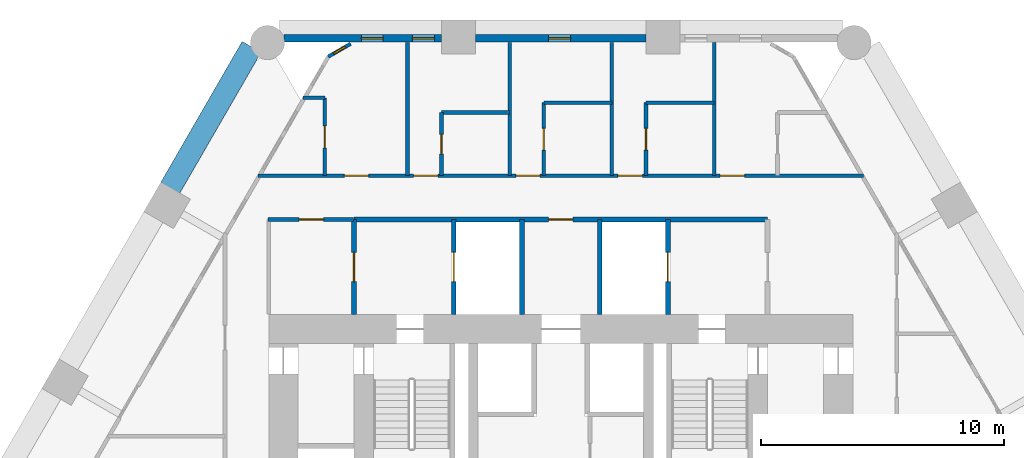
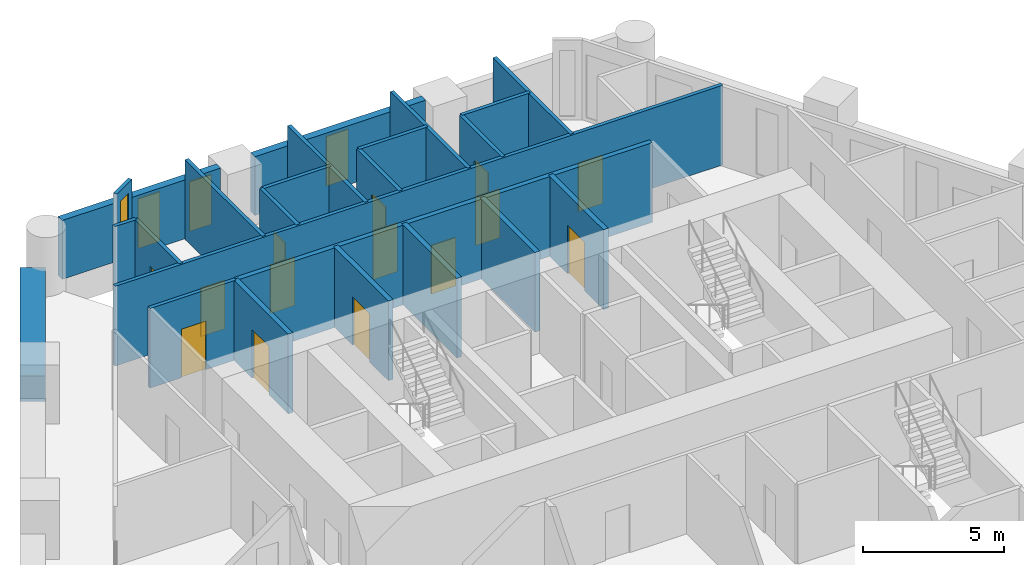
# One storey, part 6 of 8: 24 walls, 14 doors, 4 windows, 18 openings.
"""IFC4 building model written with IfcOpenShell, lengths in metres."""

from ifc_helpers import new_model, si_unit, direction, frame, frame_2d, origin, place, context, subcontext, project, spatial, rectangle, extrude, material, layer, layer_set, type_object, element, fill, save


model = new_model("IFC4")

# Units and contexts
model_context = context("Model", 3, precision=1e-05, world=origin(), true_north=direction((0.0, 1.0)))
body_context = subcontext(model_context, "Body", "Model", "MODEL_VIEW")
ifc_project = project(units=[si_unit("LENGTHUNIT", "METRE"), si_unit("AREAUNIT", "SQUARE_METRE"), si_unit("VOLUMEUNIT", "CUBIC_METRE"), si_unit("PLANEANGLEUNIT", "RADIAN"), si_unit("MASSUNIT", "GRAM", prefix="KILO")], contexts=[model_context])

# Site, building, storey
site_placement = place(None, origin())
site = spatial("IfcSite", under=ifc_project, at=site_placement, CompositionType="ELEMENT")
building_placement = place(site_placement, origin())
building = spatial("IfcBuilding", under=site, at=building_placement, Name="Ostrander Bayou Hotel Tower", CompositionType="ELEMENT")
storey_placement = place(building_placement, frame((0.0, 0.0, 31.75)))
storey = spatial("IfcBuildingStorey", under=building, at=storey_placement, Name="L07", CompositionType="ELEMENT", Elevation=31.75)

# Wall, opening, window
ifc_material_1 = material(Name="Aluminium framed insulated wall", Category="aluminium")
ifc_layer_1 = layer(ifc_material_1, 0.14990234375)
ifc_layer_set_1 = layer_set([ifc_layer_1], Name="GW1 glass-line wall 150 mm")
wall_type_1 = type_object("IfcWallType", Name="GW1 glass-line wall 150 mm", PredefinedType="SOLIDWALL", material=ifc_layer_set_1)
wall_1_placement = place(storey_placement, frame((-8.63720703125, 20.824951171875, 0.0), z_axis=(0.0, 0.0, 1.0), x_axis=(-0.866048165231, -0.499960573946, 0.0)))
wall_1 = element("IfcWall", 1, at=wall_1_placement, inside=storey, type_object=wall_type_1, Name="GW1 L07 corner 1", PredefinedType="SOLIDWALL", context=body_context, shape_type="SweptSolid", body=[
    extrude(rectangle(XDim=1.06494140625, YDim=0.14990234375, at=frame_2d((0.532470703125, 0.0))), origin(), (0.0, 0.0, 1.0), 3.449951171875),
])
opening_1_placement = place(wall_1_placement, frame((0.257568359375, 0.0, 0.14990234375)))
opening_1 = element("IfcOpeningElement", 2, at=opening_1_placement, cuts=wall_1, Name="Opening W19", PredefinedType="OPENING", context=body_context, shape_type="SweptSolid", body=[
    extrude(rectangle(XDim=0.550048828125, YDim=2.85009765625, at=frame_2d((0.27490234375, 1.425048828125))), frame((0.0, 0.074951171875, 0.0), z_axis=(0.0, -1.0, 0.0), x_axis=(1.0, 0.0, 0.0)), (0.0, 0.0, 1.0), 0.14990234375),
])
ifc_material_2 = material(Name="Aluminium and clear glass", Category="aluminium")
window_type_1 = type_object("IfcWindowType", Name="W19 corner window 550 mm", PartitioningType="SINGLE_PANEL", PredefinedType="WINDOW", material=ifc_material_2)
window_1_placement = place(opening_1_placement, origin())
window_1 = element("IfcWindow", 3, at=window_1_placement, inside=storey, type_object=window_type_1, Name="W19 L07 corner 1", OverallHeight=2.85009765625, OverallWidth=0.550048828125, PartitioningType="SINGLE_PANEL", PredefinedType="WINDOW", context=body_context, shape_type="SweptSolid", body=[
    extrude(rectangle(XDim=0.550048828125, YDim=2.85009765625, at=frame_2d((0.27490234375, 1.425048828125))), frame((0.0, 0.030029296875, 0.0), z_axis=(0.0, -1.0, 0.0), x_axis=(1.0, 0.0, 0.0)), (0.0, 0.0, 1.0), 0.06005859375),
])
fill(opening_1, window_1)

ifc_material_3 = material(Name="Reconstituted stone on masonry backing", Category="masonry")
ifc_layer_2 = layer(ifc_material_3, 0.300048828125)
ifc_layer_set_2 = layer_set([ifc_layer_2], Name="NW1 north stone wall 300 mm")
wall_type_2 = type_object("IfcWallType", Name="NW1 north stone wall 300 mm", PredefinedType="SOLIDWALL", material=ifc_layer_set_2)
wall_2_placement = place(storey_placement, frame((3.495361328125, 21.050048828125, 0.0), z_axis=(0.0, 0.0, 1.0), x_axis=(-1.0, 0.0, 0.0)))
wall_2 = element("IfcWall", 4, at=wall_2_placement, inside=storey, type_object=wall_type_2, Name="NW1 L07 N-2", PredefinedType="SOLIDWALL", context=body_context, shape_type="SweptSolid", body=[
    extrude(rectangle(XDim=6.99072265625, YDim=0.300048828125, at=frame_2d((3.495361328125, 0.0))), origin(), (0.0, 0.0, 1.0), 2.550048828125),
])
opening_2_placement = place(wall_2_placement, frame((3.095458984375, 0.0, 0.14990234375)))
opening_2 = element("IfcOpeningElement", 5, at=opening_2_placement, cuts=wall_2, Name="Opening W15", PredefinedType="OPENING", context=body_context, shape_type="SweptSolid", body=[
    extrude(rectangle(XDim=0.89990234375, YDim=2.14990234375, at=frame_2d((0.449951171875, 1.074951171875))), frame((0.0, 0.14990234375, 0.0), z_axis=(0.0, -1.0, 0.0), x_axis=(1.0, 0.0, 0.0)), (0.0, 0.0, 1.0), 0.300048828125),
])
ifc_material_4 = material(Name="Aluminium and clear glass", Category="aluminium")
window_type_2 = type_object("IfcWindowType", Name="W15 window 900 mm, zone 1", PartitioningType="SINGLE_PANEL", PredefinedType="WINDOW", material=ifc_material_4)
window_2_placement = place(opening_2_placement, origin())
window_2 = element("IfcWindow", 6, at=window_2_placement, inside=storey, type_object=window_type_2, Name="W15 L07 north N-2", OverallHeight=2.14990234375, OverallWidth=0.89990234375, PartitioningType="SINGLE_PANEL", PredefinedType="WINDOW", context=body_context, shape_type="SweptSolid", body=[
    extrude(rectangle(XDim=0.89990234375, YDim=2.14990234375, at=frame_2d((0.449951171875, 1.074951171875))), frame((0.0, 0.030029296875, 0.0), z_axis=(0.0, -1.0, 0.0), x_axis=(1.0, 0.0, 0.0)), (0.0, 0.0, 1.0), 0.06005859375),
])
fill(opening_2, window_2)

# Wall, openings, windows
wall_3_placement = place(storey_placement, frame((-4.8955078125, 21.050048828125, 0.0), z_axis=(0.0, 0.0, 1.0), x_axis=(-1.0, 0.0, 0.0)))
wall_3 = element("IfcWall", 7, at=wall_3_placement, inside=storey, type_object=wall_type_2, Name="NW1 L07 N-3", PredefinedType="SOLIDWALL", context=body_context, shape_type="SweptSolid", body=[
    extrude(rectangle(XDim=6.481201171875, YDim=0.300048828125, at=frame_2d((3.24072265625, 0.0))), origin(), (0.0, 0.0, 1.0), 2.550048828125),
])
opening_3_placement = place(wall_3_placement, frame((0.300048828125, 0.0, 0.14990234375)))
opening_3 = element("IfcOpeningElement", 8, at=opening_3_placement, cuts=wall_3, Name="Opening W15", PredefinedType="OPENING", context=body_context, shape_type="SweptSolid", body=[
    extrude(rectangle(XDim=0.89990234375, YDim=2.14990234375, at=frame_2d((0.449951171875, 1.074951171875))), frame((0.0, 0.14990234375, 0.0), z_axis=(0.0, -1.0, 0.0), x_axis=(1.0, 0.0, 0.0)), (0.0, 0.0, 1.0), 0.300048828125),
])
opening_4_placement = place(wall_3_placement, frame((2.404541015625, 0.0, 0.14990234375)))
opening_4 = element("IfcOpeningElement", 9, at=opening_4_placement, cuts=wall_3, Name="Opening W15", PredefinedType="OPENING", context=body_context, shape_type="SweptSolid", body=[
    extrude(rectangle(XDim=0.89990234375, YDim=2.14990234375, at=frame_2d((0.449951171875, 1.074951171875))), frame((0.0, 0.14990234375, 0.0), z_axis=(0.0, -1.0, 0.0), x_axis=(1.0, 0.0, 0.0)), (0.0, 0.0, 1.0), 0.300048828125),
])
window_3_placement = place(opening_3_placement, origin())
window_3 = element("IfcWindow", 10, at=window_3_placement, inside=storey, type_object=window_type_2, Name="W15 L07 north N-3", OverallHeight=2.14990234375, OverallWidth=0.89990234375, PartitioningType="SINGLE_PANEL", PredefinedType="WINDOW", context=body_context, shape_type="SweptSolid", body=[
    extrude(rectangle(XDim=0.89990234375, YDim=2.14990234375, at=frame_2d((0.449951171875, 1.074951171875))), frame((0.0, 0.030029296875, 0.0), z_axis=(0.0, -1.0, 0.0), x_axis=(1.0, 0.0, 0.0)), (0.0, 0.0, 1.0), 0.06005859375),
])
fill(opening_3, window_3)
window_4_placement = place(opening_4_placement, origin())
window_4 = element("IfcWindow", 11, at=window_4_placement, inside=storey, type_object=window_type_2, Name="W15 L07 north N-3-2", OverallHeight=2.14990234375, OverallWidth=0.89990234375, PartitioningType="SINGLE_PANEL", PredefinedType="WINDOW", context=body_context, shape_type="SweptSolid", body=[
    extrude(rectangle(XDim=0.89990234375, YDim=2.14990234375, at=frame_2d((0.449951171875, 1.074951171875))), frame((0.0, 0.030029296875, 0.0), z_axis=(0.0, -1.0, 0.0), x_axis=(1.0, 0.0, 0.0)), (0.0, 0.0, 1.0), 0.06005859375),
])
fill(opening_4, window_4)

# Wall
ifc_material_5 = material(Name="Concrete f'c 40 MPa", Category="concrete")
ifc_layer_3 = layer(ifc_material_5, 0.89990234375)
ifc_layer_set_3 = layer_set([ifc_layer_3], Name="PA1 stone-faced parapet 900 mm")
wall_type_3 = type_object("IfcWallType", Name="PA1 stone-faced parapet 900 mm", PredefinedType="PARAPET", material=ifc_layer_set_3)
wall_4_placement = place(storey_placement, frame((-12.705078125, 20.694091796875, 0.0), z_axis=(0.0, 0.0, 1.0), x_axis=(-0.500005133765, -0.866022439784, 0.0)))
element("IfcWall", 12, at=wall_4_placement, inside=storey, type_object=wall_type_3, Name="PA1 L07 NW-1", PredefinedType="PARAPET", context=body_context, shape_type="SweptSolid", body=[
    extrude(rectangle(XDim=6.70361328125, YDim=0.89990234375, at=frame_2d((3.351806640625, 0.0))), origin(), (0.0, 0.0, 1.0), 1.10009765625),
])

# Wall, opening, door
ifc_material_6 = material(Name="Masonry block", Category="masonry")
ifc_layer_4 = layer(ifc_material_6, 0.199951171875)
ifc_layer_set_4 = layer_set([ifc_layer_4], Name="PT5 stair enclosure wall 200 mm masonry, 2 hour")
wall_type_4 = type_object("IfcWallType", Name="PT5 stair enclosure wall 200 mm masonry, 2 hour", PredefinedType="PARTITIONING", material=ifc_layer_set_4)
wall_5_placement = place(storey_placement, frame((-8.5, 13.60009765625, 0.0), z_axis=(0.0, 0.0, 1.0), x_axis=(1.0, 0.0, 0.0)))
wall_5 = element("IfcWall", 13, at=wall_5_placement, inside=storey, type_object=wall_type_4, Name="cs:L07:025", PredefinedType="PARTITIONING", context=body_context, shape_type="SweptSolid", body=[
    extrude(rectangle(XDim=17.0, YDim=0.199951171875, at=frame_2d((8.5, 0.0))), origin(), (0.0, 0.0, 1.0), 3.449951171875),
])
opening_5_placement = place(wall_5_placement, frame((8.0, 0.0, 0.0)))
opening_5 = element("IfcOpeningElement", 14, at=opening_5_placement, cuts=wall_5, Name="Opening T06-013", PredefinedType="OPENING", context=body_context, shape_type="SweptSolid", body=[
    extrude(rectangle(XDim=1.0, YDim=2.10009765625, at=frame_2d((0.5, 1.050048828125))), frame((0.0, 0.10009765625, 0.0), z_axis=(0.0, -1.0, 0.0), x_axis=(1.0, 0.0, 0.0)), (0.0, 0.0, 1.0), 0.199951171875),
])
ifc_material_7 = material(Name="Timber door leaf", Category="wood")
door_type_1 = type_object("IfcDoorType", Name="D9 service door 1000 x 2100 mm, 30 minute", OperationType="SINGLE_SWING_LEFT", PredefinedType="DOOR", material=ifc_material_7)
door_1_placement = place(opening_5_placement, origin())
door_1 = element("IfcDoor", 15, at=door_1_placement, inside=storey, type_object=door_type_1, Name="dr:L07:013", OperationType="SINGLE_SWING_LEFT", OverallHeight=2.10009765625, OverallWidth=1.0, PredefinedType="DOOR", context=body_context, shape_type="SweptSolid", body=[
    extrude(rectangle(XDim=1.0, YDim=2.10009765625, at=frame_2d((0.5, 1.050048828125))), frame((0.0, 0.02490234375, 0.0), z_axis=(0.0, -1.0, 0.0), x_axis=(1.0, 0.0, 0.0)), (0.0, 0.0, 1.0), 0.050048828125),
])
fill(opening_5, door_1)

wall_6_placement = place(storey_placement, frame((-8.5, 9.699951171875, 0.0), z_axis=(0.0, 0.0, 1.0), x_axis=(0.0, 1.0, 0.0)))
wall_6 = element("IfcWall", 16, at=wall_6_placement, inside=storey, type_object=wall_type_4, Name="cs:L07:026", PredefinedType="PARTITIONING", context=body_context, shape_type="SweptSolid", body=[
    extrude(rectangle(XDim=3.900146484375, YDim=0.199951171875, at=frame_2d((1.9501953125, 0.0))), origin(), (0.0, 0.0, 1.0), 3.449951171875),
])
opening_6_placement = place(wall_6_placement, frame((1.35009765625, 0.0, 0.0)))
opening_6 = element("IfcOpeningElement", 17, at=opening_6_placement, cuts=wall_6, Name="Opening T06-010", PredefinedType="OPENING", context=body_context, shape_type="SweptSolid", body=[
    extrude(rectangle(XDim=1.199951171875, YDim=2.10009765625, at=frame_2d((0.60009765625, 1.050048828125))), frame((0.0, 0.10009765625, 0.0), z_axis=(0.0, -1.0, 0.0), x_axis=(1.0, 0.0, 0.0)), (0.0, 0.0, 1.0), 0.199951171875),
])
ifc_material_8 = material(Name="Timber door leaf", Category="wood")
door_type_2 = type_object("IfcDoorType", Name="D7 lobby door 1200 x 2100 mm, 1 hour", OperationType="SINGLE_SWING_LEFT", PredefinedType="DOOR", material=ifc_material_8)
door_2_placement = place(opening_6_placement, origin())
door_2 = element("IfcDoor", 18, at=door_2_placement, inside=storey, type_object=door_type_2, Name="dr:L07:010", OperationType="SINGLE_SWING_LEFT", OverallHeight=2.10009765625, OverallWidth=1.199951171875, PredefinedType="DOOR", context=body_context, shape_type="SweptSolid", body=[
    extrude(rectangle(XDim=1.199951171875, YDim=2.10009765625, at=frame_2d((0.60009765625, 1.050048828125))), frame((0.0, 0.02490234375, 0.0), z_axis=(0.0, -1.0, 0.0), x_axis=(1.0, 0.0, 0.0)), (0.0, 0.0, 1.0), 0.050048828125),
])
fill(opening_6, door_2)

wall_7_placement = place(storey_placement, frame((-4.39990234375, 9.699951171875, 0.0), z_axis=(0.0, 0.0, 1.0), x_axis=(0.0, 1.0, 0.0)))
wall_7 = element("IfcWall", 19, at=wall_7_placement, inside=storey, type_object=wall_type_4, Name="cs:L07:028", PredefinedType="PARTITIONING", context=body_context, shape_type="SweptSolid", body=[
    extrude(rectangle(XDim=3.900146484375, YDim=0.199951171875, at=frame_2d((1.9501953125, 0.0))), origin(), (0.0, 0.0, 1.0), 3.449951171875),
])
opening_7_placement = place(wall_7_placement, frame((1.35009765625, 0.0, 0.0)))
opening_7 = element("IfcOpeningElement", 20, at=opening_7_placement, cuts=wall_7, Name="Opening T06-009", PredefinedType="OPENING", context=body_context, shape_type="SweptSolid", body=[
    extrude(rectangle(XDim=1.199951171875, YDim=2.10009765625, at=frame_2d((0.60009765625, 1.050048828125))), frame((0.0, 0.10009765625, 0.0), z_axis=(0.0, -1.0, 0.0), x_axis=(1.0, 0.0, 0.0)), (0.0, 0.0, 1.0), 0.199951171875),
])
ifc_material_9 = material(Name="Stainless steel sliding door", Category="steel")
door_type_3 = type_object("IfcDoorType", Name="LD1 lift landing door 1200 x 2100 mm", OperationType="SINGLE_SWING_LEFT", PredefinedType="DOOR", material=ifc_material_9)
door_3_placement = place(opening_7_placement, origin())
door_3 = element("IfcDoor", 21, at=door_3_placement, inside=storey, type_object=door_type_3, Name="dr:L07:009", OperationType="SLIDING_TO_LEFT", OverallHeight=2.10009765625, OverallWidth=1.199951171875, PredefinedType="DOOR", context=body_context, shape_type="SweptSolid", body=[
    extrude(rectangle(XDim=1.199951171875, YDim=2.10009765625, at=frame_2d((0.60009765625, 1.050048828125))), frame((0.0, 0.02490234375, 0.0), z_axis=(0.0, -1.0, 0.0), x_axis=(1.0, 0.0, 0.0)), (0.0, 0.0, 1.0), 0.050048828125),
])
fill(opening_7, door_3)

wall_8_placement = place(storey_placement, frame((4.39990234375, 9.699951171875, 0.0), z_axis=(0.0, 0.0, 1.0), x_axis=(0.0, 1.0, 0.0)))
wall_8 = element("IfcWall", 22, at=wall_8_placement, inside=storey, type_object=wall_type_4, Name="cs:L07:029", PredefinedType="PARTITIONING", context=body_context, shape_type="SweptSolid", body=[
    extrude(rectangle(XDim=3.900146484375, YDim=0.199951171875, at=frame_2d((1.9501953125, 0.0))), origin(), (0.0, 0.0, 1.0), 3.449951171875),
])
opening_8_placement = place(wall_8_placement, frame((1.35009765625, 0.0, 0.0)))
opening_8 = element("IfcOpeningElement", 23, at=opening_8_placement, cuts=wall_8, Name="Opening T06-011", PredefinedType="OPENING", context=body_context, shape_type="SweptSolid", body=[
    extrude(rectangle(XDim=1.199951171875, YDim=2.10009765625, at=frame_2d((0.60009765625, 1.050048828125))), frame((0.0, 0.10009765625, 0.0), z_axis=(0.0, -1.0, 0.0), x_axis=(1.0, 0.0, 0.0)), (0.0, 0.0, 1.0), 0.199951171875),
])
door_4_placement = place(opening_8_placement, origin())
door_4 = element("IfcDoor", 24, at=door_4_placement, inside=storey, type_object=door_type_3, Name="dr:L07:011", OperationType="SLIDING_TO_LEFT", OverallHeight=2.10009765625, OverallWidth=1.199951171875, PredefinedType="DOOR", context=body_context, shape_type="SweptSolid", body=[
    extrude(rectangle(XDim=1.199951171875, YDim=2.10009765625, at=frame_2d((0.60009765625, 1.050048828125))), frame((0.0, 0.02490234375, 0.0), z_axis=(0.0, -1.0, 0.0), x_axis=(1.0, 0.0, 0.0)), (0.0, 0.0, 1.0), 0.050048828125),
])
fill(opening_8, door_4)

# Walls
ifc_material_10 = material(Name="Masonry block", Category="masonry")
ifc_layer_5 = layer(ifc_material_10, 0.199951171875)
ifc_layer_set_5 = layer_set([ifc_layer_5], Name="PT6 lift shaft wall 200 mm masonry, 2 hour")
wall_type_5 = type_object("IfcWallType", Name="PT6 lift shaft wall 200 mm masonry, 2 hour", PredefinedType="PARTITIONING", material=ifc_layer_set_5)
for number, where, z_axis, x_axis, name in (
    (25, (-1.60009765625, 9.699951171875, 0.0), (0.0, 0.0, 1.0), (0.0, 1.0, 0.0), "cs:L07:030"),
    (26, (1.60009765625, 9.699951171875, 0.0), (0.0, 0.0, 1.0), (0.0, 1.0, 0.0), "cs:L07:031"),
):
    element("IfcWall", number, at=place(storey_placement, frame(where, z_axis=z_axis, x_axis=x_axis)), inside=storey, type_object=wall_type_5, Name=name, PredefinedType="PARTITIONING", context=body_context, shape_type="SweptSolid", body=[
        extrude(rectangle(XDim=3.900146484375, YDim=0.199951171875, at=frame_2d((1.9501953125, 0.0))), origin(), (0.0, 0.0, 1.0), 3.449951171875),
    ])

# Wall, opening, door
ifc_material_11 = material(Name="Gypsum board partition", Category="finish")
ifc_layer_6 = layer(ifc_material_11, 0.14990234375)
ifc_layer_set_6 = layer_set([ifc_layer_6], Name="PT8 service band wall 150 mm, 1 hour")
wall_type_6 = type_object("IfcWallType", Name="PT8 service band wall 150 mm, 1 hour", PredefinedType="PARTITIONING", material=ifc_layer_set_6)
wall_9_placement = place(storey_placement, frame((-12.0400390625, 13.60009765625, 0.0), z_axis=(0.0, 0.0, 1.0), x_axis=(1.0, 0.0, 0.0)))
wall_9 = element("IfcWall", 27, at=wall_9_placement, inside=storey, type_object=wall_type_6, Name="gw:L07:013", PredefinedType="PARTITIONING", context=body_context, shape_type="SweptSolid", body=[
    extrude(rectangle(XDim=3.530029296875, YDim=0.14990234375, at=frame_2d((1.76513671875, 0.0))), origin(), (0.0, 0.0, 1.0), 3.449951171875),
])
opening_9_placement = place(wall_9_placement, frame((1.2900390625, 0.0, 0.0)))
opening_9 = element("IfcOpeningElement", 28, at=opening_9_placement, cuts=wall_9, Name="Opening T06-425", PredefinedType="OPENING", context=body_context, shape_type="SweptSolid", body=[
    extrude(rectangle(XDim=1.0, YDim=2.10009765625, at=frame_2d((0.5, 1.050048828125))), frame((0.0, 0.074951171875, 0.0), z_axis=(0.0, -1.0, 0.0), x_axis=(1.0, 0.0, 0.0)), (0.0, 0.0, 1.0), 0.14990234375),
])
door_5_placement = place(opening_9_placement, origin())
door_5 = element("IfcDoor", 29, at=door_5_placement, inside=storey, type_object=door_type_1, Name="dr:L07:425", OperationType="SINGLE_SWING_RIGHT", OverallHeight=2.10009765625, OverallWidth=1.0, PredefinedType="DOOR", context=body_context, shape_type="SweptSolid", body=[
    extrude(rectangle(XDim=1.0, YDim=2.10009765625, at=frame_2d((0.5, 1.050048828125))), frame((0.0, 0.02490234375, 0.0), z_axis=(0.0, -1.0, 0.0), x_axis=(1.0, 0.0, 0.0)), (0.0, 0.0, 1.0), 0.050048828125),
])
fill(opening_9, door_5)

# Wall, openings, doors
wall_10_placement = place(storey_placement, frame((-12.43603515625, 15.39990234375, 0.0), z_axis=(0.0, 0.0, 1.0), x_axis=(1.0, 0.0, 0.0)))
wall_10 = element("IfcWall", 30, at=wall_10_placement, inside=storey, type_object=wall_type_6, Name="gw:L07:014", PredefinedType="PARTITIONING", context=body_context, shape_type="SweptSolid", body=[
    extrude(rectangle(XDim=24.8720703125, YDim=0.14990234375, at=frame_2d((12.43603515625, 0.0))), origin(), (0.0, 0.0, 1.0), 3.449951171875),
])
opening_10_placement = place(wall_10_placement, frame((3.5380859375, 0.0, 0.0)))
opening_10 = element("IfcOpeningElement", 31, at=opening_10_placement, cuts=wall_10, Name="Opening T06-415", PredefinedType="OPENING", context=body_context, shape_type="SweptSolid", body=[
    extrude(rectangle(XDim=1.0, YDim=2.10009765625, at=frame_2d((0.5, 1.050048828125))), frame((0.0, 0.074951171875, 0.0), z_axis=(0.0, -1.0, 0.0), x_axis=(1.0, 0.0, 0.0)), (0.0, 0.0, 1.0), 0.14990234375),
])
opening_11_placement = place(wall_10_placement, frame((6.385986328125, 0.0, 0.0)))
opening_11 = element("IfcOpeningElement", 32, at=opening_11_placement, cuts=wall_10, Name="Opening T06-417", PredefinedType="OPENING", context=body_context, shape_type="SweptSolid", body=[
    extrude(rectangle(XDim=1.0, YDim=2.10009765625, at=frame_2d((0.5, 1.050048828125))), frame((0.0, 0.074951171875, 0.0), z_axis=(0.0, -1.0, 0.0), x_axis=(1.0, 0.0, 0.0)), (0.0, 0.0, 1.0), 0.14990234375),
])
opening_12_placement = place(wall_10_placement, frame((10.5859375, 0.0, 0.0)))
opening_12 = element("IfcOpeningElement", 33, at=opening_12_placement, cuts=wall_10, Name="Opening T06-419", PredefinedType="OPENING", context=body_context, shape_type="SweptSolid", body=[
    extrude(rectangle(XDim=1.0, YDim=2.10009765625, at=frame_2d((0.5, 1.050048828125))), frame((0.0, 0.074951171875, 0.0), z_axis=(0.0, -1.0, 0.0), x_axis=(1.0, 0.0, 0.0)), (0.0, 0.0, 1.0), 0.14990234375),
])
opening_13_placement = place(wall_10_placement, frame((14.785888671875, 0.0, 0.0)))
opening_13 = element("IfcOpeningElement", 34, at=opening_13_placement, cuts=wall_10, Name="Opening T06-421", PredefinedType="OPENING", context=body_context, shape_type="SweptSolid", body=[
    extrude(rectangle(XDim=1.0, YDim=2.10009765625, at=frame_2d((0.5, 1.050048828125))), frame((0.0, 0.074951171875, 0.0), z_axis=(0.0, -1.0, 0.0), x_axis=(1.0, 0.0, 0.0)), (0.0, 0.0, 1.0), 0.14990234375),
])
opening_14_placement = place(wall_10_placement, frame((18.986083984375, 0.0, 0.0)))
opening_14 = element("IfcOpeningElement", 35, at=opening_14_placement, cuts=wall_10, Name="Opening T06-423", PredefinedType="OPENING", context=body_context, shape_type="SweptSolid", body=[
    extrude(rectangle(XDim=1.0, YDim=2.10009765625, at=frame_2d((0.5, 1.050048828125))), frame((0.0, 0.074951171875, 0.0), z_axis=(0.0, -1.0, 0.0), x_axis=(1.0, 0.0, 0.0)), (0.0, 0.0, 1.0), 0.14990234375),
])
ifc_material_12 = material(Name="Timber door leaf", Category="wood")
door_type_4 = type_object("IfcDoorType", Name="D1 guest room door 1000 x 2100 mm, 30 minute", OperationType="SINGLE_SWING_LEFT", PredefinedType="DOOR", material=ifc_material_12)
door_6_placement = place(opening_11_placement, origin())
door_6 = element("IfcDoor", 36, at=door_6_placement, inside=storey, type_object=door_type_4, Name="dr:L07:417", OperationType="SINGLE_SWING_LEFT", OverallHeight=2.10009765625, OverallWidth=1.0, PredefinedType="DOOR", context=body_context, shape_type="SweptSolid", body=[
    extrude(rectangle(XDim=1.0, YDim=2.10009765625, at=frame_2d((0.5, 1.050048828125))), frame((0.0, 0.02490234375, 0.0), z_axis=(0.0, -1.0, 0.0), x_axis=(1.0, 0.0, 0.0)), (0.0, 0.0, 1.0), 0.050048828125),
])
fill(opening_11, door_6)
door_7_placement = place(opening_12_placement, origin())
door_7 = element("IfcDoor", 37, at=door_7_placement, inside=storey, type_object=door_type_4, Name="dr:L07:419", OperationType="SINGLE_SWING_LEFT", OverallHeight=2.10009765625, OverallWidth=1.0, PredefinedType="DOOR", context=body_context, shape_type="SweptSolid", body=[
    extrude(rectangle(XDim=1.0, YDim=2.10009765625, at=frame_2d((0.5, 1.050048828125))), frame((0.0, 0.02490234375, 0.0), z_axis=(0.0, -1.0, 0.0), x_axis=(1.0, 0.0, 0.0)), (0.0, 0.0, 1.0), 0.050048828125),
])
fill(opening_12, door_7)
door_8_placement = place(opening_13_placement, origin())
door_8 = element("IfcDoor", 38, at=door_8_placement, inside=storey, type_object=door_type_4, Name="dr:L07:421", OperationType="SINGLE_SWING_LEFT", OverallHeight=2.10009765625, OverallWidth=1.0, PredefinedType="DOOR", context=body_context, shape_type="SweptSolid", body=[
    extrude(rectangle(XDim=1.0, YDim=2.10009765625, at=frame_2d((0.5, 1.050048828125))), frame((0.0, 0.02490234375, 0.0), z_axis=(0.0, -1.0, 0.0), x_axis=(1.0, 0.0, 0.0)), (0.0, 0.0, 1.0), 0.050048828125),
])
fill(opening_13, door_8)
door_9_placement = place(opening_14_placement, origin())
door_9 = element("IfcDoor", 39, at=door_9_placement, inside=storey, type_object=door_type_4, Name="dr:L07:423", OperationType="SINGLE_SWING_LEFT", OverallHeight=2.10009765625, OverallWidth=1.0, PredefinedType="DOOR", context=body_context, shape_type="SweptSolid", body=[
    extrude(rectangle(XDim=1.0, YDim=2.10009765625, at=frame_2d((0.5, 1.050048828125))), frame((0.0, 0.02490234375, 0.0), z_axis=(0.0, -1.0, 0.0), x_axis=(1.0, 0.0, 0.0)), (0.0, 0.0, 1.0), 0.050048828125),
])
fill(opening_14, door_9)
ifc_material_13 = material(Name="Timber door leaf", Category="wood")
door_type_5 = type_object("IfcDoorType", Name="D15 room door 1000 x 2100 mm", OperationType="SINGLE_SWING_LEFT", PredefinedType="DOOR", material=ifc_material_13)
door_10_placement = place(opening_10_placement, origin())
door_10 = element("IfcDoor", 40, at=door_10_placement, inside=storey, type_object=door_type_5, Name="dr:L07:415", OperationType="SINGLE_SWING_RIGHT", OverallHeight=2.10009765625, OverallWidth=1.0, PredefinedType="DOOR", context=body_context, shape_type="SweptSolid", body=[
    extrude(rectangle(XDim=1.0, YDim=2.10009765625, at=frame_2d((0.5, 1.050048828125))), frame((0.0, 0.02490234375, 0.0), z_axis=(0.0, -1.0, 0.0), x_axis=(1.0, 0.0, 0.0)), (0.0, 0.0, 1.0), 0.050048828125),
])
fill(opening_10, door_10)

# Walls
wall_11_placement = place(storey_placement, frame((-4.89990234375, 18.0, 0.0), z_axis=(0.0, 0.0, 1.0), x_axis=(1.0, 0.0, 0.0)))
element("IfcWall", 41, at=wall_11_placement, inside=storey, type_object=wall_type_6, Name="gw:L07:015", PredefinedType="PARTITIONING", context=body_context, shape_type="SweptSolid", body=[
    extrude(rectangle(XDim=2.7998046875, YDim=0.14990234375, at=frame_2d((1.39990234375, 0.0))), origin(), (0.0, 0.0, 1.0), 3.449951171875),
])
for number, where, z_axis, x_axis, name in (
    (42, (-0.699951171875, 18.39990234375, 0.0), (0.0, 0.0, 1.0), (1.0, 0.0, 0.0), "gw:L07:017"),
    (43, (3.5, 18.39990234375, 0.0), (0.0, 0.0, 1.0), (1.0, 0.0, 0.0), "gw:L07:018"),
):
    element("IfcWall", number, at=place(storey_placement, frame(where, z_axis=z_axis, x_axis=x_axis)), inside=storey, type_object=wall_type_6, Name=name, PredefinedType="PARTITIONING", context=body_context, shape_type="SweptSolid", body=[
        extrude(rectangle(XDim=2.800048828125, YDim=0.14990234375, at=frame_2d((1.39990234375, 0.0))), origin(), (0.0, 0.0, 1.0), 3.449951171875),
    ])
wall_12_placement = place(storey_placement, frame((-10.589111328125, 18.60009765625, 0.0), z_axis=(0.0, 0.0, 1.0), x_axis=(1.0, 0.0, 0.0)))
element("IfcWall", 44, at=wall_12_placement, inside=storey, type_object=wall_type_6, Name="gw:L07:019", PredefinedType="PARTITIONING", context=body_context, shape_type="SweptSolid", body=[
    extrude(rectangle(XDim=0.89404296875, YDim=0.14990234375, at=frame_2d((0.447021484375, 0.0))), origin(), (0.0, 0.0, 1.0), 3.449951171875),
])
wall_13_placement = place(storey_placement, frame((6.300048828125, 15.39990234375, 0.0), z_axis=(0.0, 0.0, 1.0), x_axis=(0.0, 1.0, 0.0)))
element("IfcWall", 45, at=wall_13_placement, inside=storey, type_object=wall_type_6, Name="gw:L07:025", PredefinedType="PARTITIONING", context=body_context, shape_type="SweptSolid", body=[
    extrude(rectangle(XDim=5.47021484375, YDim=0.14990234375, at=frame_2d((2.735107421875, 0.0))), origin(), (0.0, 0.0, 1.0), 3.449951171875),
])

# Wall, opening, door
wall_14_placement = place(storey_placement, frame((3.5, 15.39990234375, 0.0), z_axis=(0.0, 0.0, 1.0), x_axis=(0.0, 1.0, 0.0)))
wall_14 = element("IfcWall", 46, at=wall_14_placement, inside=storey, type_object=wall_type_6, Name="gw:L07:027", PredefinedType="PARTITIONING", context=body_context, shape_type="SweptSolid", body=[
    extrude(rectangle(XDim=3.0, YDim=0.14990234375, at=frame_2d((1.5, 0.0))), origin(), (0.0, 0.0, 1.0), 3.449951171875),
])
opening_15_placement = place(wall_14_placement, frame((1.050048828125, 0.0, 0.0)))
opening_15 = element("IfcOpeningElement", 47, at=opening_15_placement, cuts=wall_14, Name="Opening T06-422", PredefinedType="OPENING", context=body_context, shape_type="SweptSolid", body=[
    extrude(rectangle(XDim=0.89990234375, YDim=2.10009765625, at=frame_2d((0.449951171875, 1.050048828125))), frame((0.0, 0.074951171875, 0.0), z_axis=(0.0, -1.0, 0.0), x_axis=(1.0, 0.0, 0.0)), (0.0, 0.0, 1.0), 0.14990234375),
])
ifc_material_14 = material(Name="Timber door leaf", Category="wood")
door_type_6 = type_object("IfcDoorType", Name="D14 bathroom door 900 x 2100 mm", OperationType="SINGLE_SWING_LEFT", PredefinedType="DOOR", material=ifc_material_14)
door_11_placement = place(opening_15_placement, origin())
door_11 = element("IfcDoor", 48, at=door_11_placement, inside=storey, type_object=door_type_6, Name="dr:L07:422", OperationType="SINGLE_SWING_LEFT", OverallHeight=2.10009765625, OverallWidth=0.89990234375, PredefinedType="DOOR", context=body_context, shape_type="SweptSolid", body=[
    extrude(rectangle(XDim=0.89990234375, YDim=2.10009765625, at=frame_2d((0.449951171875, 1.050048828125))), frame((0.0, 0.02490234375, 0.0), z_axis=(0.0, -1.0, 0.0), x_axis=(1.0, 0.0, 0.0)), (0.0, 0.0, 1.0), 0.050048828125),
])
fill(opening_15, door_11)

# Wall
wall_15_placement = place(storey_placement, frame((2.10009765625, 15.39990234375, 0.0), z_axis=(0.0, 0.0, 1.0), x_axis=(0.0, 1.0, 0.0)))
element("IfcWall", 49, at=wall_15_placement, inside=storey, type_object=wall_type_6, Name="gw:L07:029", PredefinedType="PARTITIONING", context=body_context, shape_type="SweptSolid", body=[
    extrude(rectangle(XDim=5.47021484375, YDim=0.14990234375, at=frame_2d((2.735107421875, 0.0))), origin(), (0.0, 0.0, 1.0), 3.449951171875),
])

# Wall, opening, door
wall_16_placement = place(storey_placement, frame((-0.699951171875, 15.39990234375, 0.0), z_axis=(0.0, 0.0, 1.0), x_axis=(0.0, 1.0, 0.0)))
wall_16 = element("IfcWall", 50, at=wall_16_placement, inside=storey, type_object=wall_type_6, Name="gw:L07:031", PredefinedType="PARTITIONING", context=body_context, shape_type="SweptSolid", body=[
    extrude(rectangle(XDim=3.0, YDim=0.14990234375, at=frame_2d((1.5, 0.0))), origin(), (0.0, 0.0, 1.0), 3.449951171875),
])
opening_16_placement = place(wall_16_placement, frame((1.050048828125, 0.0, 0.0)))
opening_16 = element("IfcOpeningElement", 51, at=opening_16_placement, cuts=wall_16, Name="Opening T06-420", PredefinedType="OPENING", context=body_context, shape_type="SweptSolid", body=[
    extrude(rectangle(XDim=0.89990234375, YDim=2.10009765625, at=frame_2d((0.449951171875, 1.050048828125))), frame((0.0, 0.074951171875, 0.0), z_axis=(0.0, -1.0, 0.0), x_axis=(1.0, 0.0, 0.0)), (0.0, 0.0, 1.0), 0.14990234375),
])
door_12_placement = place(opening_16_placement, origin())
door_12 = element("IfcDoor", 52, at=door_12_placement, inside=storey, type_object=door_type_6, Name="dr:L07:420", OperationType="SINGLE_SWING_LEFT", OverallHeight=2.10009765625, OverallWidth=0.89990234375, PredefinedType="DOOR", context=body_context, shape_type="SweptSolid", body=[
    extrude(rectangle(XDim=0.89990234375, YDim=2.10009765625, at=frame_2d((0.449951171875, 1.050048828125))), frame((0.0, 0.02490234375, 0.0), z_axis=(0.0, -1.0, 0.0), x_axis=(1.0, 0.0, 0.0)), (0.0, 0.0, 1.0), 0.050048828125),
])
fill(opening_16, door_12)

# Wall
wall_17_placement = place(storey_placement, frame((-2.10009765625, 15.39990234375, 0.0), z_axis=(0.0, 0.0, 1.0), x_axis=(0.0, 1.0, 0.0)))
element("IfcWall", 53, at=wall_17_placement, inside=storey, type_object=wall_type_6, Name="gw:L07:032", PredefinedType="PARTITIONING", context=body_context, shape_type="SweptSolid", body=[
    extrude(rectangle(XDim=5.47021484375, YDim=0.14990234375, at=frame_2d((2.735107421875, 0.0))), origin(), (0.0, 0.0, 1.0), 3.449951171875),
])

# Wall, opening, door
wall_18_placement = place(storey_placement, frame((-4.89990234375, 15.39990234375, 0.0), z_axis=(0.0, 0.0, 1.0), x_axis=(0.0, 1.0, 0.0)))
wall_18 = element("IfcWall", 54, at=wall_18_placement, inside=storey, type_object=wall_type_6, Name="gw:L07:033", PredefinedType="PARTITIONING", context=body_context, shape_type="SweptSolid", body=[
    extrude(rectangle(XDim=2.60009765625, YDim=0.14990234375, at=frame_2d((1.300048828125, 0.0))), origin(), (0.0, 0.0, 1.0), 3.449951171875),
])
opening_17_placement = place(wall_18_placement, frame((0.89990234375, 0.0, 0.0)))
opening_17 = element("IfcOpeningElement", 55, at=opening_17_placement, cuts=wall_18, Name="Opening T06-418", PredefinedType="OPENING", context=body_context, shape_type="SweptSolid", body=[
    extrude(rectangle(XDim=0.800048828125, YDim=2.10009765625, at=frame_2d((0.39990234375, 1.050048828125))), frame((0.0, 0.074951171875, 0.0), z_axis=(0.0, -1.0, 0.0), x_axis=(1.0, 0.0, 0.0)), (0.0, 0.0, 1.0), 0.14990234375),
])
ifc_material_15 = material(Name="Timber door leaf", Category="wood")
door_type_7 = type_object("IfcDoorType", Name="D2 bathroom door 800 x 2100 mm", OperationType="SINGLE_SWING_LEFT", PredefinedType="DOOR", material=ifc_material_15)
door_13_placement = place(opening_17_placement, origin())
door_13 = element("IfcDoor", 56, at=door_13_placement, inside=storey, type_object=door_type_7, Name="dr:L07:418", OperationType="SINGLE_SWING_LEFT", OverallHeight=2.10009765625, OverallWidth=0.800048828125, PredefinedType="DOOR", context=body_context, shape_type="SweptSolid", body=[
    extrude(rectangle(XDim=0.800048828125, YDim=2.10009765625, at=frame_2d((0.39990234375, 1.050048828125))), frame((0.0, 0.02490234375, 0.0), z_axis=(0.0, -1.0, 0.0), x_axis=(1.0, 0.0, 0.0)), (0.0, 0.0, 1.0), 0.050048828125),
])
fill(opening_17, door_13)

# Wall
wall_19_placement = place(storey_placement, frame((-6.300048828125, 15.39990234375, 0.0), z_axis=(0.0, 0.0, 1.0), x_axis=(0.0, 1.0, 0.0)))
element("IfcWall", 57, at=wall_19_placement, inside=storey, type_object=wall_type_6, Name="gw:L07:034", PredefinedType="PARTITIONING", context=body_context, shape_type="SweptSolid", body=[
    extrude(rectangle(XDim=5.47021484375, YDim=0.14990234375, at=frame_2d((2.735107421875, 0.0))), origin(), (0.0, 0.0, 1.0), 3.449951171875),
])

# Wall, opening, door
wall_20_placement = place(storey_placement, frame((-9.695068359375, 15.39990234375, 0.0), z_axis=(0.0, 0.0, 1.0), x_axis=(0.0, 1.0, 0.0)))
wall_20 = element("IfcWall", 58, at=wall_20_placement, inside=storey, type_object=wall_type_6, Name="gw:L07:036", PredefinedType="PARTITIONING", context=body_context, shape_type="SweptSolid", body=[
    extrude(rectangle(XDim=3.2001953125, YDim=0.14990234375, at=frame_2d((1.60009765625, 0.0))), origin(), (0.0, 0.0, 1.0), 3.449951171875),
])
opening_18_placement = place(wall_20_placement, frame((1.14990234375, 0.0, 0.0)))
opening_18 = element("IfcOpeningElement", 59, at=opening_18_placement, cuts=wall_20, Name="Opening T06-416", PredefinedType="OPENING", context=body_context, shape_type="SweptSolid", body=[
    extrude(rectangle(XDim=0.89990234375, YDim=2.10009765625, at=frame_2d((0.449951171875, 1.050048828125))), frame((0.0, 0.074951171875, 0.0), z_axis=(0.0, -1.0, 0.0), x_axis=(1.0, 0.0, 0.0)), (0.0, 0.0, 1.0), 0.14990234375),
])
ifc_material_16 = material(Name="Timber door leaf", Category="wood")
door_type_8 = type_object("IfcDoorType", Name="D8 room door 900 x 2100 mm", OperationType="SINGLE_SWING_LEFT", PredefinedType="DOOR", material=ifc_material_16)
door_14_placement = place(opening_18_placement, origin())
door_14 = element("IfcDoor", 60, at=door_14_placement, inside=storey, type_object=door_type_8, Name="dr:L07:416", OperationType="SINGLE_SWING_LEFT", OverallHeight=2.10009765625, OverallWidth=0.89990234375, PredefinedType="DOOR", context=body_context, shape_type="SweptSolid", body=[
    extrude(rectangle(XDim=0.89990234375, YDim=2.10009765625, at=frame_2d((0.449951171875, 1.050048828125))), frame((0.0, 0.02490234375, 0.0), z_axis=(0.0, -1.0, 0.0), x_axis=(1.0, 0.0, 0.0)), (0.0, 0.0, 1.0), 0.050048828125),
])
fill(opening_18, door_14)

save(model, "model.ifc")
